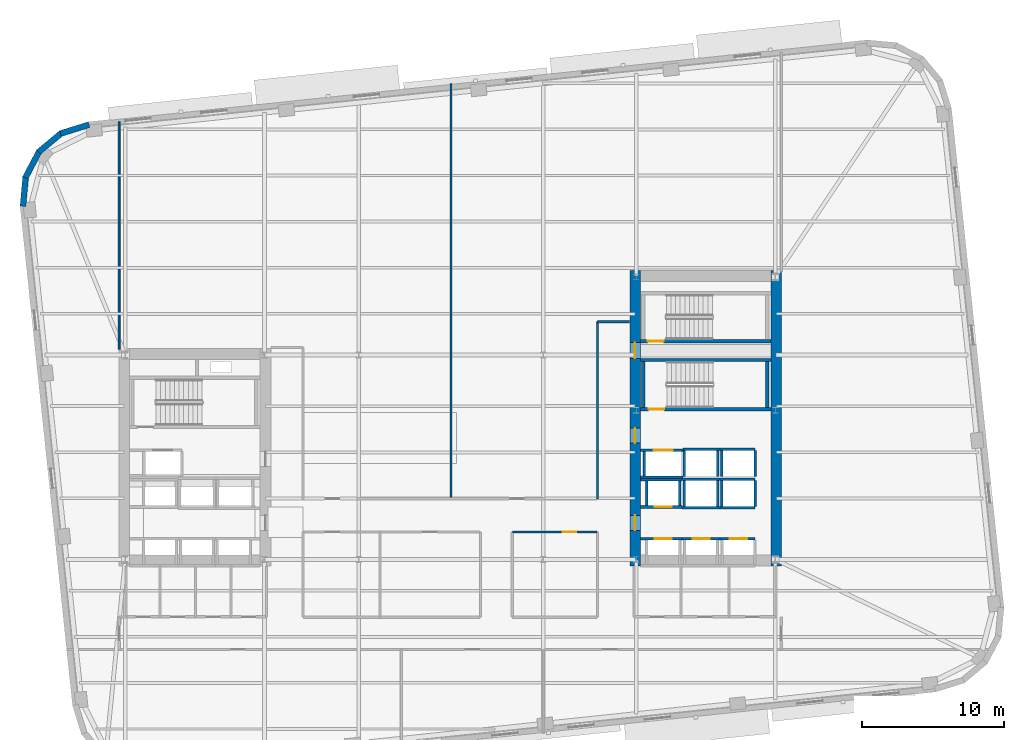
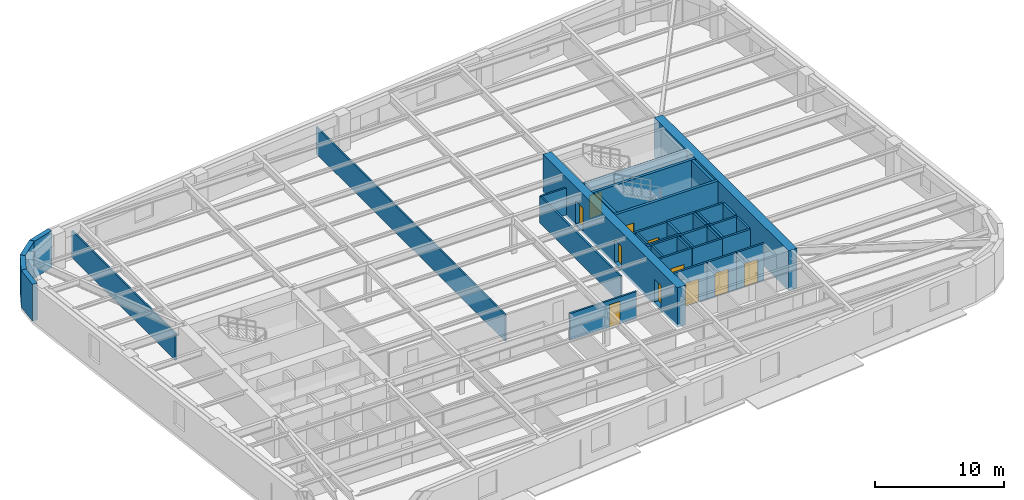
# One storey, part 6 of 12: 40 walls, 11 doors, 11 openings.
"""IFC4 building model written with IfcOpenShell, lengths in metres."""

from ifc_helpers import new_model, si_unit, direction, frame, frame_2d, origin, place, context, subcontext, project, spatial, rectangle, extrude, material, layer, layer_set, type_object, element, fill, save


model = new_model("IFC4")

# Units and contexts
model_context = context("Model", 3, precision=1e-05, world=origin(), true_north=direction((0.0, 1.0)))
body_context = subcontext(model_context, "Body", "Model", "MODEL_VIEW")
ifc_project = project(units=[si_unit("LENGTHUNIT", "METRE"), si_unit("AREAUNIT", "SQUARE_METRE"), si_unit("VOLUMEUNIT", "CUBIC_METRE"), si_unit("PLANEANGLEUNIT", "RADIAN"), si_unit("MASSUNIT", "GRAM", prefix="KILO")], contexts=[model_context])

# Site, building, storey
site_placement = place(None, origin())
site = spatial("IfcSite", under=ifc_project, at=site_placement, CompositionType="ELEMENT")
building_placement = place(site_placement, origin())
building = spatial("IfcBuilding", under=site, at=building_placement, Name="Kolvaren Arena Tower", CompositionType="ELEMENT")
storey_placement = place(building_placement, frame((0.0, 0.0, 110.949951171875)))
storey = spatial("IfcBuildingStorey", under=building, at=storey_placement, Name="L25", CompositionType="ELEMENT", Elevation=110.949951171875)

# Wall, opening, door
ifc_material_1 = material(Name="Gypsum board acoustic assembly", Category="gypsum")
ifc_layer_1 = layer(ifc_material_1, 0.159912109375)
ifc_layer_set_1 = layer_set([ifc_layer_1], Name="Gypsum board acoustic assembly")
wall_type_1 = type_object("IfcWallType", Name="CORR-160", PredefinedType="PARTITIONING", material=ifc_layer_set_1)
wall_1_placement = place(storey_placement, frame((41.840087890625, 21.3798828125, 0.0), z_axis=(0.0, 0.0, 1.0), x_axis=(1.0, 0.0, 0.0)))
wall_1 = element("IfcWall", 1, at=wall_1_placement, inside=storey, type_object=wall_type_1, Name="Interior Partition Wall (L25)", PredefinedType="PARTITIONING", context=body_context, shape_type="SweptSolid", body=[
    extrude(rectangle(XDim=5.9599609375, YDim=0.159912109375, at=frame_2d((2.97998046875, 0.0))), origin(), (0.0, 0.0, 1.0), 2.5400390625),
])
opening_1_placement = place(wall_1_placement, frame((3.534912109375, 0.0, 0.0)))
opening_1 = element("IfcOpeningElement", 2, at=opening_1_placement, cuts=wall_1, Name="Opening D05", PredefinedType="OPENING", context=body_context, shape_type="SweptSolid", body=[
    extrude(rectangle(XDim=0.949951171875, YDim=2.14990234375, at=frame_2d((0.47509765625, 1.074951171875))), frame((0.0, 0.08984375, 0.0), z_axis=(0.0, -1.0, 0.0), x_axis=(1.0, 0.0, 0.0)), (0.0, 0.0, 1.0), 0.179931640625),
])
ifc_material_2 = material(Name="Solid-core oak acoustic office door", Category="wood")
door_type_1 = type_object("IfcDoorType", Name="DOOR-OF-095", OperationType="NOTDEFINED", PredefinedType="DOOR", material=ifc_material_2)
door_1_placement = place(opening_1_placement, origin())
door_1 = element("IfcDoor", 3, at=door_1_placement, inside=storey, type_object=door_type_1, Name="Design Studio Door (L25)", OperationType="SINGLE_SWING_RIGHT", OverallHeight=2.14990234375, OverallWidth=0.949951171875, PredefinedType="DOOR", context=body_context, shape_type="SweptSolid", body=[
    extrude(rectangle(XDim=0.949951171875, YDim=2.14990234375, at=frame_2d((0.47509765625, 1.074951171875))), frame((0.0, 0.02490234375, 0.0), z_axis=(0.0, -1.0, 0.0), x_axis=(1.0, 0.0, 0.0)), (0.0, 0.0, 1.0), 0.050048828125),
])
fill(opening_1, door_1)

# Walls
wall_2_placement = place(storey_placement, frame((47.820068359375, 23.719970703125, 0.0), z_axis=(0.0, 0.0, 1.0), x_axis=(0.0, 1.0, 0.0)))
element("IfcWall", 4, at=wall_2_placement, inside=storey, type_object=wall_type_1, Name="Interior Partition Wall (L25)", PredefinedType="PARTITIONING", context=body_context, shape_type="SweptSolid", body=[
    extrude(rectangle(XDim=12.47998046875, YDim=0.159912109375, at=frame_2d((6.239990234375, 0.0))), origin(), (0.0, 0.0, 1.0), 2.5400390625),
])
wall_3_placement = place(storey_placement, frame((47.820068359375, 36.199951171875, 0.0), z_axis=(0.0, 0.0, 1.0), x_axis=(1.0, 0.0, 0.0)))
element("IfcWall", 5, at=wall_3_placement, inside=storey, type_object=wall_type_1, Name="Interior Partition Wall (L25)", PredefinedType="PARTITIONING", context=body_context, shape_type="SweptSolid", body=[
    extrude(rectangle(XDim=2.260009765625, YDim=0.159912109375, at=frame_2d((1.1298828125, 0.0))), origin(), (0.0, 0.0, 1.0), 2.5400390625),
])

# Wall, openings, doors
ifc_material_3 = material(Name="Concrete 70 MPa", Category="concrete")
ifc_layer_2 = layer(ifc_material_3, 0.75)
ifc_layer_set_2 = layer_set([ifc_layer_2], Name="Concrete 70 MPa")
wall_type_2 = type_object("IfcWallType", Name="CWALL-750", PredefinedType="SHEAR", material=ifc_layer_set_2)
wall_4_placement = place(storey_placement, frame((50.47509765625, 19.0, -0.27001953125), z_axis=(0.0, 0.0, 1.0), x_axis=(0.0, 1.0, 0.0)))
wall_4 = element("IfcWall", 6, at=wall_4_placement, inside=storey, type_object=wall_type_2, Name="Core Shear Wall EC-WEST (L25)", PredefinedType="SHEAR", context=body_context, shape_type="SweptSolid", body=[
    extrude(rectangle(XDim=20.800048828125, YDim=0.75, at=frame_2d((10.39990234375, 0.0))), origin(), (0.0, 0.0, 1.0), 3.75),
])
opening_2_placement = place(wall_4_placement, frame((2.5, 0.0, 0.27001953125)))
opening_2 = element("IfcOpeningElement", 7, at=opening_2_placement, cuts=wall_4, Name="Opening D04", PredefinedType="OPENING", context=body_context, shape_type="SweptSolid", body=[
    extrude(rectangle(XDim=1.050048828125, YDim=2.14990234375, at=frame_2d((0.52490234375, 1.074951171875))), frame((0.0, 0.385009765625, 0.0), z_axis=(0.0, -1.0, 0.0), x_axis=(1.0, 0.0, 0.0)), (0.0, 0.0, 1.0), 0.77001953125),
])
opening_3_placement = place(wall_4_placement, frame((8.64990234375, 0.0, 0.27001953125)))
opening_3 = element("IfcOpeningElement", 8, at=opening_3_placement, cuts=wall_4, Name="Opening D04", PredefinedType="OPENING", context=body_context, shape_type="SweptSolid", body=[
    extrude(rectangle(XDim=1.050048828125, YDim=2.14990234375, at=frame_2d((0.52490234375, 1.074951171875))), frame((0.0, 0.385009765625, 0.0), z_axis=(0.0, -1.0, 0.0), x_axis=(1.0, 0.0, 0.0)), (0.0, 0.0, 1.0), 0.77001953125),
])
opening_4_placement = place(wall_4_placement, frame((14.6201171875, 0.0, 0.27001953125)))
opening_4 = element("IfcOpeningElement", 9, at=opening_4_placement, cuts=wall_4, Name="Opening D03", PredefinedType="OPENING", context=body_context, shape_type="SweptSolid", body=[
    extrude(rectangle(XDim=1.10009765625, YDim=2.14990234375, at=frame_2d((0.550048828125, 1.074951171875))), frame((0.0, 0.385009765625, 0.0), z_axis=(0.0, -1.0, 0.0), x_axis=(1.0, 0.0, 0.0)), (0.0, 0.0, 1.0), 0.77001953125),
])
ifc_material_4 = material(Name="Fire-rated steel lobby door", Category="steel")
door_type_2 = type_object("IfcDoorType", Name="DOOR-FF-105", OperationType="NOTDEFINED", PredefinedType="DOOR", material=ifc_material_4)
door_2_placement = place(opening_2_placement, origin())
door_2 = element("IfcDoor", 10, at=door_2_placement, inside=storey, type_object=door_type_2, Name="East Lift Lobby Fire Door (L25)", OperationType="SINGLE_SWING_RIGHT", OverallHeight=2.14990234375, OverallWidth=1.050048828125, PredefinedType="DOOR", context=body_context, shape_type="SweptSolid", body=[
    extrude(rectangle(XDim=1.050048828125, YDim=2.14990234375, at=frame_2d((0.52490234375, 1.074951171875))), frame((0.0, 0.02490234375, 0.0), z_axis=(0.0, -1.0, 0.0), x_axis=(1.0, 0.0, 0.0)), (0.0, 0.0, 1.0), 0.050048828125),
])
fill(opening_2, door_2)
door_3_placement = place(opening_3_placement, origin())
door_3 = element("IfcDoor", 11, at=door_3_placement, inside=storey, type_object=door_type_2, Name="East Firefighter Vestibule Door (L25)", OperationType="SINGLE_SWING_LEFT", OverallHeight=2.14990234375, OverallWidth=1.050048828125, PredefinedType="DOOR", context=body_context, shape_type="SweptSolid", body=[
    extrude(rectangle(XDim=1.050048828125, YDim=2.14990234375, at=frame_2d((0.52490234375, 1.074951171875))), frame((0.0, 0.02490234375, 0.0), z_axis=(0.0, -1.0, 0.0), x_axis=(1.0, 0.0, 0.0)), (0.0, 0.0, 1.0), 0.050048828125),
])
fill(opening_3, door_3)
ifc_material_5 = material(Name="Fire-rated steel exit stair door", Category="steel")
door_type_3 = type_object("IfcDoorType", Name="DOOR-ST-110", OperationType="NOTDEFINED", PredefinedType="DOOR", material=ifc_material_5)
door_4_placement = place(opening_4_placement, origin())
door_4 = element("IfcDoor", 12, at=door_4_placement, inside=storey, type_object=door_type_3, Name="Stair ST-E2 Vestibule Fire Door (L25)", OperationType="SINGLE_SWING_LEFT", OverallHeight=2.14990234375, OverallWidth=1.10009765625, PredefinedType="DOOR", context=body_context, shape_type="SweptSolid", body=[
    extrude(rectangle(XDim=1.10009765625, YDim=2.14990234375, at=frame_2d((0.550048828125, 1.074951171875))), frame((0.0, 0.02490234375, 0.0), z_axis=(0.0, -1.0, 0.0), x_axis=(1.0, 0.0, 0.0)), (0.0, 0.0, 1.0), 0.050048828125),
])
fill(opening_4, door_4)

# Walls
wall_5_placement = place(storey_placement, frame((60.425048828125, 19.0, -0.27001953125), z_axis=(0.0, 0.0, 1.0), x_axis=(0.0, 1.0, 0.0)))
element("IfcWall", 13, at=wall_5_placement, inside=storey, type_object=wall_type_2, Name="Core Shear Wall EC-EAST (L25)", PredefinedType="SHEAR", context=body_context, shape_type="SweptSolid", body=[
    extrude(rectangle(XDim=20.800048828125, YDim=0.75, at=frame_2d((10.39990234375, 0.0))), origin(), (0.0, 0.0, 1.0), 3.75),
])
ifc_material_6 = material(Name="Precast concrete C50/60", Category="concrete")
ifc_layer_3 = layer(ifc_material_6, 0.419921875)
ifc_layer_set_3 = layer_set([ifc_layer_3], Name="Precast concrete C50/60")
wall_type_3 = type_object("IfcWallType", Name="EXT-PIER1", PredefinedType="SOLIDWALL", material=ifc_layer_set_3)
wall_6_placement = place(storey_placement, frame((9.98681640625, 49.463134765625, 0.0), z_axis=(0.0, 0.0, 1.0), x_axis=(0.955016613791, 0.296552301261, 0.0)))
element("IfcWall", 14, at=wall_6_placement, inside=storey, type_object=wall_type_3, Name="Exterior Precast Masonry-Frame Wall (L25)", PredefinedType="SOLIDWALL", context=body_context, shape_type="SweptSolid", body=[
    extrude(rectangle(XDim=2.106689453125, YDim=0.419921875, at=frame_2d((1.05322265625, 0.0))), origin(), (0.0, 0.0, 1.0), 3.47998046875),
])
wall_7_placement = place(storey_placement, frame((8.438720703125, 48.15478515625, 0.0), z_axis=(0.0, 0.0, 1.0), x_axis=(0.768800317178, 0.639488914921, 0.0)))
element("IfcWall", 15, at=wall_7_placement, inside=storey, type_object=wall_type_3, Name="Exterior Precast Masonry-Frame Wall (L25)", PredefinedType="SOLIDWALL", context=body_context, shape_type="SweptSolid", body=[
    extrude(rectangle(XDim=2.10693359375, YDim=0.419921875, at=frame_2d((1.053466796875, 0.0))), origin(), (0.0, 0.0, 1.0), 3.47998046875),
])
wall_8_placement = place(storey_placement, frame((7.50927734375, 46.35400390625, 0.0), z_axis=(0.0, 0.0, 1.0), x_axis=(0.465612698516, 0.884988595961, 0.0)))
element("IfcWall", 16, at=wall_8_placement, inside=storey, type_object=wall_type_3, Name="Exterior Precast Masonry-Frame Wall (L25)", PredefinedType="SOLIDWALL", context=body_context, shape_type="SweptSolid", body=[
    extrude(rectangle(XDim=2.106689453125, YDim=0.419921875, at=frame_2d((1.05322265625, 0.0))), origin(), (0.0, 0.0, 1.0), 3.47998046875),
])
wall_9_placement = place(storey_placement, frame((7.339599609375, 44.33447265625, 0.0), z_axis=(0.0, 0.0, 1.0), x_axis=(0.091538655308, 0.995801523691, 0.0)))
element("IfcWall", 17, at=wall_9_placement, inside=storey, type_object=wall_type_3, Name="Exterior Precast Masonry-Frame Wall (L25)", PredefinedType="SOLIDWALL", context=body_context, shape_type="SweptSolid", body=[
    extrude(rectangle(XDim=2.10693359375, YDim=0.419921875, at=frame_2d((1.053466796875, 0.0))), origin(), (0.0, 0.0, 1.0), 3.47998046875),
])
ifc_material_7 = material(Name="Gypsum board partition assembly", Category="gypsum")
ifc_layer_4 = layer(ifc_material_7, 0.135009765625)
ifc_layer_set_4 = layer_set([ifc_layer_4], Name="Gypsum board partition assembly")
wall_type_4 = type_object("IfcWallType", Name="PART-135", PredefinedType="PARTITIONING", material=ifc_layer_set_4)
wall_10_placement = place(storey_placement, frame((37.5, 23.719970703125, 0.0), z_axis=(0.0, 0.0, 1.0), x_axis=(0.0, 1.0, 0.0)))
element("IfcWall", 18, at=wall_10_placement, inside=storey, type_object=wall_type_4, Name="Interior Partition Wall (L25)", PredefinedType="PARTITIONING", context=body_context, shape_type="SweptSolid", body=[
    extrude(rectangle(XDim=29.25537109375, YDim=0.135009765625, at=frame_2d((14.627685546875, 0.0))), origin(), (0.0, 0.0, 1.0), 2.5400390625),
])
wall_11_placement = place(storey_placement, frame((14.1201171875, 34.25, 0.0), z_axis=(0.0, 0.0, 1.0), x_axis=(0.0, 1.0, 0.0)))
element("IfcWall", 19, at=wall_11_placement, inside=storey, type_object=wall_type_4, Name="Interior Partition Wall (L25)", PredefinedType="PARTITIONING", context=body_context, shape_type="SweptSolid", body=[
    extrude(rectangle(XDim=16.026611328125, YDim=0.135009765625, at=frame_2d((8.01318359375, 0.0))), origin(), (0.0, 0.0, 1.0), 2.5400390625),
])

# Wall, opening, door
ifc_material_8 = material(Name="Concrete 45 MPa", Category="concrete")
ifc_layer_5 = layer(ifc_material_8, 0.25)
ifc_layer_set_5 = layer_set([ifc_layer_5], Name="Concrete 45 MPa")
wall_type_5 = type_object("IfcWallType", Name="SHAFT-250", PredefinedType="SOLIDWALL", material=ifc_layer_set_5)
wall_12_placement = place(storey_placement, frame((60.050048828125, 30.030029296875, 0.0), z_axis=(0.0, 0.0, 1.0), x_axis=(-1.0, 0.0, 0.0)))
wall_12 = element("IfcWall", 20, at=wall_12_placement, inside=storey, type_object=wall_type_5, Name="Core Shaft Wall (L25)", PredefinedType="SOLIDWALL", context=body_context, shape_type="SweptSolid", body=[
    extrude(rectangle(XDim=9.199951171875, YDim=0.239990234375, at=frame_2d((4.60009765625, 0.0))), origin(), (0.0, 0.0, 1.0), 3.47998046875),
])
opening_5_placement = place(wall_12_placement, frame((7.530029296875, 0.0, 0.0)))
opening_5 = element("IfcOpeningElement", 21, at=opening_5_placement, cuts=wall_12, Name="Opening D03", PredefinedType="OPENING", context=body_context, shape_type="SweptSolid", body=[
    extrude(rectangle(XDim=1.10009765625, YDim=2.14990234375, at=frame_2d((0.550048828125, 1.074951171875))), frame((0.0, 0.1298828125, 0.0), z_axis=(0.0, -1.0, 0.0), x_axis=(1.0, 0.0, 0.0)), (0.0, 0.0, 1.0), 0.260009765625),
])
door_5_placement = place(opening_5_placement, origin())
door_5 = element("IfcDoor", 22, at=door_5_placement, inside=storey, type_object=door_type_3, Name="Stair ST-E1 Fire Door (L25)", OperationType="SINGLE_SWING_LEFT", OverallHeight=2.14990234375, OverallWidth=1.10009765625, PredefinedType="DOOR", context=body_context, shape_type="SweptSolid", body=[
    extrude(rectangle(XDim=1.10009765625, YDim=2.14990234375, at=frame_2d((0.550048828125, 1.074951171875))), frame((0.0, 0.02490234375, 0.0), z_axis=(0.0, -1.0, 0.0), x_axis=(1.0, 0.0, 0.0)), (0.0, 0.0, 1.0), 0.050048828125),
])
fill(opening_5, door_5)

# Walls
wall_13_placement = place(storey_placement, frame((50.85009765625, 33.5, 0.0), z_axis=(0.0, 0.0, 1.0), x_axis=(1.0, 0.0, 0.0)))
element("IfcWall", 23, at=wall_13_placement, inside=storey, type_object=wall_type_5, Name="Core Shaft Wall (L25)", PredefinedType="SOLIDWALL", context=body_context, shape_type="SweptSolid", body=[
    extrude(rectangle(XDim=9.199951171875, YDim=0.239990234375, at=frame_2d((4.60009765625, 0.0))), origin(), (0.0, 0.0, 1.0), 3.47998046875),
])
for number, where, z_axis, x_axis, name in (
    (24, (51.06005859375, 30.14990234375, 0.0), (0.0, 0.0, 1.0), (0.0, 1.0, 0.0), "Core Shaft Wall (L25)"),
    (25, (59.780029296875, 30.14990234375, 0.0), (0.0, 0.0, 1.0), (0.0, 1.0, 0.0), "Core Shaft Wall (L25)"),
):
    element("IfcWall", number, at=place(storey_placement, frame(where, z_axis=z_axis, x_axis=x_axis)), inside=storey, type_object=wall_type_5, Name=name, PredefinedType="SOLIDWALL", context=body_context, shape_type="SweptSolid", body=[
        extrude(rectangle(XDim=3.22998046875, YDim=0.239990234375, at=frame_2d((1.614990234375, 0.0))), origin(), (0.0, 0.0, 1.0), 3.47998046875),
    ])

# Wall, opening, door
wall_14_placement = place(storey_placement, frame((60.050048828125, 34.830078125, 0.0), z_axis=(0.0, 0.0, 1.0), x_axis=(-1.0, 0.0, 0.0)))
wall_14 = element("IfcWall", 26, at=wall_14_placement, inside=storey, type_object=wall_type_5, Name="Core Shaft Wall (L25)", PredefinedType="SOLIDWALL", context=body_context, shape_type="SweptSolid", body=[
    extrude(rectangle(XDim=9.199951171875, YDim=0.239990234375, at=frame_2d((4.60009765625, 0.0))), origin(), (0.0, 0.0, 1.0), 3.47998046875),
])
opening_6_placement = place(wall_14_placement, frame((7.570068359375, 0.0, 0.0)))
opening_6 = element("IfcOpeningElement", 27, at=opening_6_placement, cuts=wall_14, Name="Opening D03", PredefinedType="OPENING", context=body_context, shape_type="SweptSolid", body=[
    extrude(rectangle(XDim=1.10009765625, YDim=2.14990234375, at=frame_2d((0.550048828125, 1.074951171875))), frame((0.0, 0.1298828125, 0.0), z_axis=(0.0, -1.0, 0.0), x_axis=(1.0, 0.0, 0.0)), (0.0, 0.0, 1.0), 0.260009765625),
])
door_6_placement = place(opening_6_placement, origin())
door_6 = element("IfcDoor", 28, at=door_6_placement, inside=storey, type_object=door_type_3, Name="Stair ST-E2 Fire Door (L25)", OperationType="SINGLE_SWING_LEFT", OverallHeight=2.14990234375, OverallWidth=1.10009765625, PredefinedType="DOOR", context=body_context, shape_type="SweptSolid", body=[
    extrude(rectangle(XDim=1.10009765625, YDim=2.14990234375, at=frame_2d((0.550048828125, 1.074951171875))), frame((0.0, 0.02490234375, 0.0), z_axis=(0.0, -1.0, 0.0), x_axis=(1.0, 0.0, 0.0)), (0.0, 0.0, 1.0), 0.050048828125),
])
fill(opening_6, door_6)

wall_15_placement = place(storey_placement, frame((50.85009765625, 20.905029296875, 0.0), z_axis=(0.0, 0.0, 1.0), x_axis=(1.0, 0.0, 0.0)))
wall_15 = element("IfcWall", 29, at=wall_15_placement, inside=storey, type_object=wall_type_5, Name="Core Shaft Wall (L25)", PredefinedType="SOLIDWALL", context=body_context, shape_type="SweptSolid", body=[
    extrude(rectangle(XDim=2.93994140625, YDim=0.179931640625, at=frame_2d((1.469970703125, 0.0))), origin(), (0.0, 0.0, 1.0), 3.47998046875),
])
opening_7_placement = place(wall_15_placement, frame((1.010009765625, 0.0, 0.0)))
opening_7 = element("IfcOpeningElement", 30, at=opening_7_placement, cuts=wall_15, Name="Opening LD1", PredefinedType="OPENING", context=body_context, shape_type="SweptSolid", body=[
    extrude(rectangle(XDim=1.199951171875, YDim=2.199951171875, at=frame_2d((0.60009765625, 1.10009765625))), frame((0.0, 0.099853515625, 0.0), z_axis=(0.0, -1.0, 0.0), x_axis=(1.0, 0.0, 0.0)), (0.0, 0.0, 1.0), 0.199951171875),
])
ifc_material_9 = material(Name="Stainless steel passenger lift landing door", Category="steel")
door_type_4 = type_object("IfcDoorType", Name="DOOR-LD-120", OperationType="DOUBLE_DOOR_SLIDING", PredefinedType="DOOR", material=ifc_material_9)
door_7_placement = place(opening_7_placement, origin())
door_7 = element("IfcDoor", 31, at=door_7_placement, inside=storey, type_object=door_type_4, Name="Lift EL-LR1 Landing Door (L25)", OperationType="DOUBLE_DOOR_SLIDING", OverallHeight=2.199951171875, OverallWidth=1.199951171875, PredefinedType="DOOR", context=body_context, shape_type="SweptSolid", body=[
    extrude(rectangle(XDim=1.199951171875, YDim=2.199951171875, at=frame_2d((0.60009765625, 1.10009765625))), frame((0.0, 0.02490234375, 0.0), z_axis=(0.0, -1.0, 0.0), x_axis=(1.0, 0.0, 0.0)), (0.0, 0.0, 1.0), 0.050048828125),
])
fill(opening_7, door_7)

wall_16_placement = place(storey_placement, frame((53.7900390625, 20.905029296875, 0.0), z_axis=(0.0, 0.0, 1.0), x_axis=(1.0, 0.0, 0.0)))
wall_16 = element("IfcWall", 32, at=wall_16_placement, inside=storey, type_object=wall_type_5, Name="Core Shaft Wall (L25)", PredefinedType="SOLIDWALL", context=body_context, shape_type="SweptSolid", body=[
    extrude(rectangle(XDim=2.64990234375, YDim=0.179931640625, at=frame_2d((1.324951171875, 0.0))), origin(), (0.0, 0.0, 1.0), 3.47998046875),
])
opening_8_placement = place(wall_16_placement, frame((0.72998046875, 0.0, 0.0)))
opening_8 = element("IfcOpeningElement", 33, at=opening_8_placement, cuts=wall_16, Name="Opening LD1", PredefinedType="OPENING", context=body_context, shape_type="SweptSolid", body=[
    extrude(rectangle(XDim=1.199951171875, YDim=2.199951171875, at=frame_2d((0.60009765625, 1.10009765625))), frame((0.0, 0.099853515625, 0.0), z_axis=(0.0, -1.0, 0.0), x_axis=(1.0, 0.0, 0.0)), (0.0, 0.0, 1.0), 0.199951171875),
])
door_8_placement = place(opening_8_placement, origin())
door_8 = element("IfcDoor", 34, at=door_8_placement, inside=storey, type_object=door_type_4, Name="Lift EL-LR2 Landing Door (L25)", OperationType="DOUBLE_DOOR_SLIDING", OverallHeight=2.199951171875, OverallWidth=1.199951171875, PredefinedType="DOOR", context=body_context, shape_type="SweptSolid", body=[
    extrude(rectangle(XDim=1.199951171875, YDim=2.199951171875, at=frame_2d((0.60009765625, 1.10009765625))), frame((0.0, 0.02490234375, 0.0), z_axis=(0.0, -1.0, 0.0), x_axis=(1.0, 0.0, 0.0)), (0.0, 0.0, 1.0), 0.050048828125),
])
fill(opening_8, door_8)

wall_17_placement = place(storey_placement, frame((56.43994140625, 20.905029296875, 0.0), z_axis=(0.0, 0.0, 1.0), x_axis=(1.0, 0.0, 0.0)))
wall_17 = element("IfcWall", 35, at=wall_17_placement, inside=storey, type_object=wall_type_5, Name="Core Shaft Wall (L25)", PredefinedType="SOLIDWALL", context=body_context, shape_type="SweptSolid", body=[
    extrude(rectangle(XDim=2.47509765625, YDim=0.179931640625, at=frame_2d((1.237548828125, 0.0))), origin(), (0.0, 0.0, 1.0), 3.47998046875),
])
opening_9_placement = place(wall_17_placement, frame((0.719970703125, 0.0, 0.0)))
opening_9 = element("IfcOpeningElement", 36, at=opening_9_placement, cuts=wall_17, Name="Opening LD1", PredefinedType="OPENING", context=body_context, shape_type="SweptSolid", body=[
    extrude(rectangle(XDim=1.199951171875, YDim=2.199951171875, at=frame_2d((0.60009765625, 1.10009765625))), frame((0.0, 0.099853515625, 0.0), z_axis=(0.0, -1.0, 0.0), x_axis=(1.0, 0.0, 0.0)), (0.0, 0.0, 1.0), 0.199951171875),
])
door_9_placement = place(opening_9_placement, origin())
door_9 = element("IfcDoor", 37, at=door_9_placement, inside=storey, type_object=door_type_4, Name="Lift EL-LR3 Landing Door (L25)", OperationType="DOUBLE_DOOR_SLIDING", OverallHeight=2.199951171875, OverallWidth=1.199951171875, PredefinedType="DOOR", context=body_context, shape_type="SweptSolid", body=[
    extrude(rectangle(XDim=1.199951171875, YDim=2.199951171875, at=frame_2d((0.60009765625, 1.10009765625))), frame((0.0, 0.02490234375, 0.0), z_axis=(0.0, -1.0, 0.0), x_axis=(1.0, 0.0, 0.0)), (0.0, 0.0, 1.0), 0.050048828125),
])
fill(opening_9, door_9)

# Wall
wall_18_placement = place(storey_placement, frame((50.85009765625, 25.054931640625, 0.0), z_axis=(0.0, 0.0, 1.0), x_axis=(1.0, 0.0, 0.0)))
element("IfcWall", 38, at=wall_18_placement, inside=storey, type_object=wall_type_5, Name="Core Shaft Wall (L25)", PredefinedType="SOLIDWALL", context=body_context, shape_type="SweptSolid", body=[
    extrude(rectangle(XDim=2.927490234375, YDim=0.179931640625, at=frame_2d((1.4638671875, 0.0))), origin(), (0.0, 0.0, 1.0), 3.47998046875),
])

# Wall, opening, door
wall_19_placement = place(storey_placement, frame((50.85009765625, 23.14501953125, 0.0), z_axis=(0.0, 0.0, 1.0), x_axis=(1.0, 0.0, 0.0)))
wall_19 = element("IfcWall", 39, at=wall_19_placement, inside=storey, type_object=wall_type_5, Name="Core Shaft Wall (L25)", PredefinedType="SOLIDWALL", context=body_context, shape_type="SweptSolid", body=[
    extrude(rectangle(XDim=2.927490234375, YDim=0.179931640625, at=frame_2d((1.4638671875, 0.0))), origin(), (0.0, 0.0, 1.0), 3.47998046875),
])
opening_10_placement = place(wall_19_placement, frame((1.010009765625, 0.0, 0.0)))
opening_10 = element("IfcOpeningElement", 40, at=opening_10_placement, cuts=wall_19, Name="Opening LD1", PredefinedType="OPENING", context=body_context, shape_type="SweptSolid", body=[
    extrude(rectangle(XDim=1.199951171875, YDim=2.199951171875, at=frame_2d((0.60009765625, 1.10009765625))), frame((0.0, 0.099853515625, 0.0), z_axis=(0.0, -1.0, 0.0), x_axis=(1.0, 0.0, 0.0)), (0.0, 0.0, 1.0), 0.199951171875),
])
door_10_placement = place(opening_10_placement, origin())
door_10 = element("IfcDoor", 41, at=door_10_placement, inside=storey, type_object=door_type_4, Name="Lift EL-LR4 Landing Door (L25)", OperationType="DOUBLE_DOOR_SLIDING", OverallHeight=2.199951171875, OverallWidth=1.199951171875, PredefinedType="DOOR", context=body_context, shape_type="SweptSolid", body=[
    extrude(rectangle(XDim=1.199951171875, YDim=2.199951171875, at=frame_2d((0.60009765625, 1.10009765625))), frame((0.0, 0.02490234375, 0.0), z_axis=(0.0, -1.0, 0.0), x_axis=(1.0, 0.0, 0.0)), (0.0, 0.0, 1.0), 0.050048828125),
])
fill(opening_10, door_10)

# Walls
for number, where, z_axis, x_axis, name in (
    (42, (51.304931640625, 23.235107421875, 0.0), (0.0, 0.0, 1.0), (0.0, 1.0, 0.0), "Core Shaft Wall (L25)"),
    (43, (53.614990234375, 23.235107421875, 0.0), (0.0, 0.0, 1.0), (0.0, 1.0, 0.0), "Core Shaft Wall (L25)"),
):
    element("IfcWall", number, at=place(storey_placement, frame(where, z_axis=z_axis, x_axis=x_axis)), inside=storey, type_object=wall_type_5, Name=name, PredefinedType="SOLIDWALL", context=body_context, shape_type="SweptSolid", body=[
        extrude(rectangle(XDim=1.72998046875, YDim=0.179931640625, at=frame_2d((0.864990234375, 0.0))), origin(), (0.0, 0.0, 1.0), 3.47998046875),
    ])
for number, where, z_axis, x_axis, name in (
    (44, (53.777587890625, 25.10498046875, 0.0), (0.0, 0.0, 1.0), (1.0, 0.0, 0.0), "Core Shaft Wall (L25)"),
    (45, (53.777587890625, 23.094970703125, 0.0), (0.0, 0.0, 1.0), (1.0, 0.0, 0.0), "Core Shaft Wall (L25)"),
):
    element("IfcWall", number, at=place(storey_placement, frame(where, z_axis=z_axis, x_axis=x_axis)), inside=storey, type_object=wall_type_5, Name=name, PredefinedType="SOLIDWALL", context=body_context, shape_type="SweptSolid", body=[
        extrude(rectangle(XDim=2.662353515625, YDim=0.179931640625, at=frame_2d((1.3310546875, 0.0))), origin(), (0.0, 0.0, 1.0), 3.47998046875),
    ])
for number, where, z_axis, x_axis, name in (
    (46, (53.93994140625, 23.18505859375, 0.0), (0.0, 0.0, 1.0), (0.0, 1.0, 0.0), "Core Shaft Wall (L25)"),
    (47, (56.300048828125, 23.18505859375, 0.0), (0.0, 0.0, 1.0), (0.0, 1.0, 0.0), "Core Shaft Wall (L25)"),
):
    element("IfcWall", number, at=place(storey_placement, frame(where, z_axis=z_axis, x_axis=x_axis)), inside=storey, type_object=wall_type_5, Name=name, PredefinedType="SOLIDWALL", context=body_context, shape_type="SweptSolid", body=[
        extrude(rectangle(XDim=1.829833984375, YDim=0.179931640625, at=frame_2d((0.9150390625, 0.0))), origin(), (0.0, 0.0, 1.0), 3.47998046875),
    ])
for number, where, z_axis, x_axis, name in (
    (48, (56.43994140625, 25.10498046875, 0.0), (0.0, 0.0, 1.0), (1.0, 0.0, 0.0), "Core Shaft Wall (L25)"),
    (49, (56.43994140625, 23.094970703125, 0.0), (0.0, 0.0, 1.0), (1.0, 0.0, 0.0), "Core Shaft Wall (L25)"),
):
    element("IfcWall", number, at=place(storey_placement, frame(where, z_axis=z_axis, x_axis=x_axis)), inside=storey, type_object=wall_type_5, Name=name, PredefinedType="SOLIDWALL", context=body_context, shape_type="SweptSolid", body=[
        extrude(rectangle(XDim=2.5, YDim=0.179931640625, at=frame_2d((1.25, 0.0))), origin(), (0.0, 0.0, 1.0), 3.47998046875),
    ])
for number, where, z_axis, x_axis, name in (
    (50, (56.580078125, 23.18505859375, 0.0), (0.0, 0.0, 1.0), (0.0, 1.0, 0.0), "Core Shaft Wall (L25)"),
    (51, (58.93994140625, 23.18505859375, 0.0), (0.0, 0.0, 1.0), (0.0, 1.0, 0.0), "Core Shaft Wall (L25)"),
):
    element("IfcWall", number, at=place(storey_placement, frame(where, z_axis=z_axis, x_axis=x_axis)), inside=storey, type_object=wall_type_5, Name=name, PredefinedType="SOLIDWALL", context=body_context, shape_type="SweptSolid", body=[
        extrude(rectangle(XDim=1.829833984375, YDim=0.179931640625, at=frame_2d((0.9150390625, 0.0))), origin(), (0.0, 0.0, 1.0), 3.47998046875),
    ])
wall_20_placement = place(storey_placement, frame((53.864990234375, 27.205078125, 0.0), z_axis=(0.0, 0.0, 1.0), x_axis=(1.0, 0.0, 0.0)))
element("IfcWall", 52, at=wall_20_placement, inside=storey, type_object=wall_type_5, Name="Core Shaft Wall (L25)", PredefinedType="SOLIDWALL", context=body_context, shape_type="SweptSolid", body=[
    extrude(rectangle(XDim=2.574951171875, YDim=0.179931640625, at=frame_2d((1.28759765625, 0.0))), origin(), (0.0, 0.0, 1.0), 3.47998046875),
])
for number, where, z_axis, x_axis, name in (
    (53, (53.93994140625, 25.284912109375, 0.0), (0.0, 0.0, 1.0), (0.0, 1.0, 0.0), "Core Shaft Wall (L25)"),
    (54, (56.300048828125, 25.284912109375, 0.0), (0.0, 0.0, 1.0), (0.0, 1.0, 0.0), "Core Shaft Wall (L25)"),
):
    element("IfcWall", number, at=place(storey_placement, frame(where, z_axis=z_axis, x_axis=x_axis)), inside=storey, type_object=wall_type_5, Name=name, PredefinedType="SOLIDWALL", context=body_context, shape_type="SweptSolid", body=[
        extrude(rectangle(XDim=1.830078125, YDim=0.179931640625, at=frame_2d((0.9150390625, 0.0))), origin(), (0.0, 0.0, 1.0), 3.47998046875),
    ])
wall_21_placement = place(storey_placement, frame((56.43994140625, 27.205078125, 0.0), z_axis=(0.0, 0.0, 1.0), x_axis=(1.0, 0.0, 0.0)))
element("IfcWall", 55, at=wall_21_placement, inside=storey, type_object=wall_type_5, Name="Core Shaft Wall (L25)", PredefinedType="SOLIDWALL", context=body_context, shape_type="SweptSolid", body=[
    extrude(rectangle(XDim=2.5, YDim=0.179931640625, at=frame_2d((1.25, 0.0))), origin(), (0.0, 0.0, 1.0), 3.47998046875),
])
for number, where, z_axis, x_axis, name in (
    (56, (56.580078125, 25.284912109375, 0.0), (0.0, 0.0, 1.0), (0.0, 1.0, 0.0), "Core Shaft Wall (L25)"),
    (57, (58.93994140625, 25.284912109375, 0.0), (0.0, 0.0, 1.0), (0.0, 1.0, 0.0), "Core Shaft Wall (L25)"),
):
    element("IfcWall", number, at=place(storey_placement, frame(where, z_axis=z_axis, x_axis=x_axis)), inside=storey, type_object=wall_type_5, Name=name, PredefinedType="SOLIDWALL", context=body_context, shape_type="SweptSolid", body=[
        extrude(rectangle(XDim=1.830078125, YDim=0.179931640625, at=frame_2d((0.9150390625, 0.0))), origin(), (0.0, 0.0, 1.0), 3.47998046875),
    ])

# Wall, opening, door
wall_22_placement = place(storey_placement, frame((50.85009765625, 27.155029296875, 0.0), z_axis=(0.0, 0.0, 1.0), x_axis=(1.0, 0.0, 0.0)))
wall_22 = element("IfcWall", 58, at=wall_22_placement, inside=storey, type_object=wall_type_5, Name="Core Shaft Wall (L25)", PredefinedType="SOLIDWALL", context=body_context, shape_type="SweptSolid", body=[
    extrude(rectangle(XDim=3.014892578125, YDim=0.179931640625, at=frame_2d((1.50732421875, 0.0))), origin(), (0.0, 0.0, 1.0), 3.47998046875),
])
opening_11_placement = place(wall_22_placement, frame((0.93505859375, 0.0, 0.0)))
opening_11 = element("IfcOpeningElement", 59, at=opening_11_placement, cuts=wall_22, Name="Opening LD2", PredefinedType="OPENING", context=body_context, shape_type="SweptSolid", body=[
    extrude(rectangle(XDim=1.35009765625, YDim=2.300048828125, at=frame_2d((0.675048828125, 1.14990234375))), frame((0.0, 0.099853515625, 0.0), z_axis=(0.0, -1.0, 0.0), x_axis=(1.0, 0.0, 0.0)), (0.0, 0.0, 1.0), 0.199951171875),
])
ifc_material_10 = material(Name="Stainless steel firefighter lift landing door", Category="steel")
door_type_5 = type_object("IfcDoorType", Name="DOOR-LD-135", OperationType="DOUBLE_DOOR_SLIDING", PredefinedType="DOOR", material=ifc_material_10)
door_11_placement = place(opening_11_placement, origin())
door_11 = element("IfcDoor", 60, at=door_11_placement, inside=storey, type_object=door_type_5, Name="Firefighter Lift FF-E1 Landing Door (L25)", OperationType="DOUBLE_DOOR_SLIDING", OverallHeight=2.300048828125, OverallWidth=1.35009765625, PredefinedType="DOOR", context=body_context, shape_type="SweptSolid", body=[
    extrude(rectangle(XDim=1.35009765625, YDim=2.300048828125, at=frame_2d((0.675048828125, 1.14990234375))), frame((0.0, 0.02490234375, 0.0), z_axis=(0.0, -1.0, 0.0), x_axis=(1.0, 0.0, 0.0)), (0.0, 0.0, 1.0), 0.050048828125),
])
fill(opening_11, door_11)

# Walls
wall_23_placement = place(storey_placement, frame((50.85009765625, 25.2451171875, 0.0), z_axis=(0.0, 0.0, 1.0), x_axis=(1.0, 0.0, 0.0)))
element("IfcWall", 61, at=wall_23_placement, inside=storey, type_object=wall_type_5, Name="Core Shaft Wall (L25)", PredefinedType="SOLIDWALL", context=body_context, shape_type="SweptSolid", body=[
    extrude(rectangle(XDim=3.014892578125, YDim=0.179931640625, at=frame_2d((1.50732421875, 0.0))), origin(), (0.0, 0.0, 1.0), 3.47998046875),
])
wall_24_placement = place(storey_placement, frame((51.1298828125, 25.3349609375, 0.0), z_axis=(0.0, 0.0, 1.0), x_axis=(0.0, 1.0, 0.0)))
element("IfcWall", 62, at=wall_24_placement, inside=storey, type_object=wall_type_5, Name="Core Shaft Wall (L25)", PredefinedType="SOLIDWALL", context=body_context, shape_type="SweptSolid", body=[
    extrude(rectangle(XDim=1.72998046875, YDim=0.179931640625, at=frame_2d((0.864990234375, 0.0))), origin(), (0.0, 0.0, 1.0), 3.47998046875),
])

save(model, "model.ifc")
